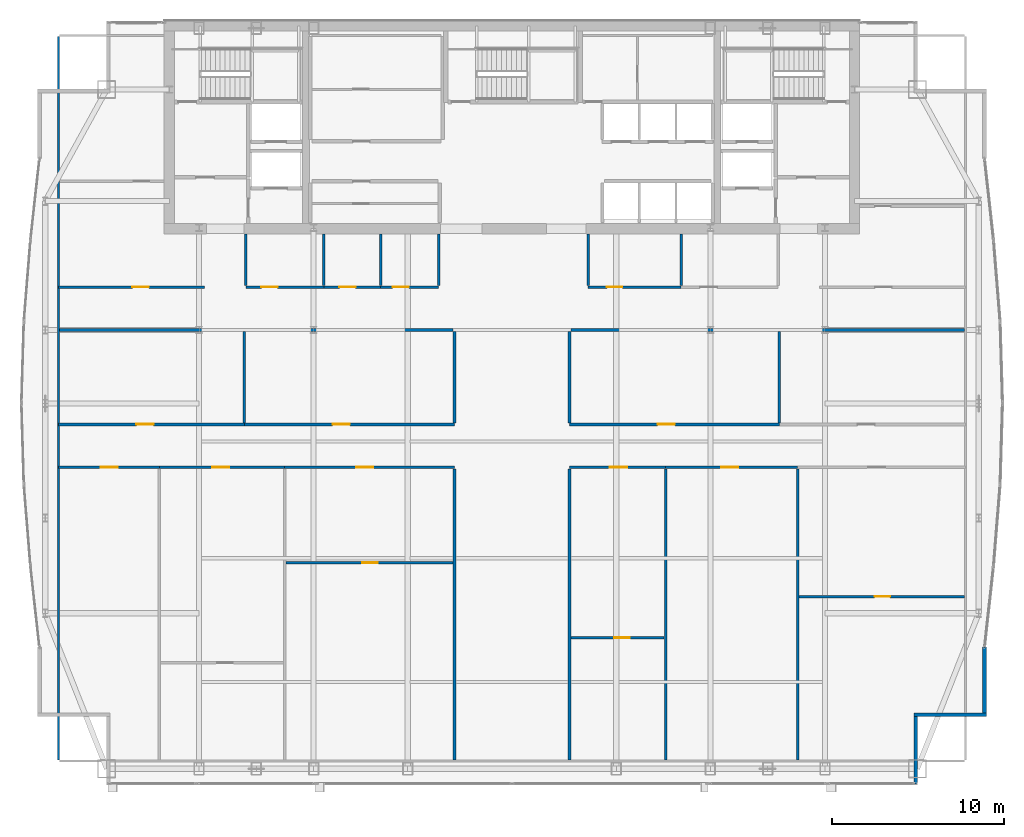
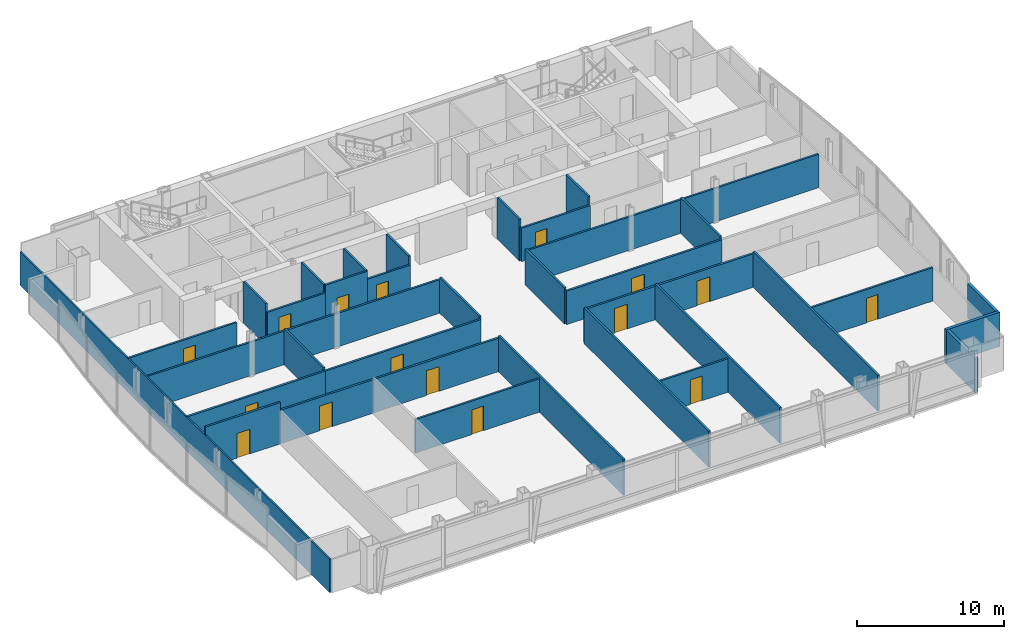
# One storey, part 24 of 29: 36 walls, 16 doors, 16 openings.
"""IFC4 building model written with IfcOpenShell, lengths in metres."""

from ifc_helpers import new_model, si_unit, direction, frame, frame_2d, origin, place, context, subcontext, project, spatial, rectangle, extrude, material, layer, layer_set, type_object, element, fill, save


model = new_model("IFC4")

# Units and contexts
model_context = context("Model", 3, precision=1e-05, world=origin(), true_north=direction((0.0, 1.0)))
body_context = subcontext(model_context, "Body", "Model", "MODEL_VIEW")
ifc_project = project(units=[si_unit("LENGTHUNIT", "METRE"), si_unit("AREAUNIT", "SQUARE_METRE"), si_unit("VOLUMEUNIT", "CUBIC_METRE"), si_unit("PLANEANGLEUNIT", "RADIAN"), si_unit("MASSUNIT", "GRAM", prefix="KILO")], contexts=[model_context])

# Site, building, storey
site_placement = place(None, origin())
site = spatial("IfcSite", under=ifc_project, at=site_placement, CompositionType="ELEMENT")
building_placement = place(site_placement, origin())
building = spatial("IfcBuilding", under=site, at=building_placement, Name="Khoronbel Lancet Exchange", CompositionType="ELEMENT")
storey_placement = place(building_placement, frame((0.0, 0.0, 246.199951171875)))
storey = spatial("IfcBuildingStorey", under=building, at=storey_placement, Name="L63", CompositionType="ELEMENT", Elevation=246.199951171875)

# Walls
ifc_material_1 = material(Name="Precast concrete C40/50", Category="concrete")
ifc_layer_1 = layer(ifc_material_1, 0.25, Name="Precast concrete C40/50")
ifc_layer_set_1 = layer_set([ifc_layer_1], Name="Precast concrete C40/50")
wall_type_1 = type_object("IfcWallType", Name="WL-EXT250", PredefinedType="SOLIDWALL", material=ifc_layer_set_1)
wall_1_placement = place(storey_placement, frame((63.9599609375, 17.22509765625, 0.0), z_axis=(0.0, 0.0, 1.0), x_axis=(0.0, -1.0, 0.0)))
element("IfcWall", 1, at=wall_1_placement, inside=storey, type_object=wall_type_1, Name="Level L63 notched-corner limestone pier 23", PredefinedType="SOLIDWALL", context=body_context, shape_type="SweptSolid", body=[
    extrude(rectangle(XDim=3.8251953125, YDim=0.219970703125, at=frame_2d((1.91259765625, 0.0))), origin(), (0.0, 0.0, 1.0), 2.830078125),
])
wall_2_placement = place(storey_placement, frame((64.070068359375, 13.2900390625, 0.0), z_axis=(0.0, 0.0, 1.0), x_axis=(-1.0, 0.0, 0.0)))
element("IfcWall", 2, at=wall_2_placement, inside=storey, type_object=wall_type_1, Name="Level L63 notched-corner limestone pier 24", PredefinedType="SOLIDWALL", context=body_context, shape_type="SweptSolid", body=[
    extrude(rectangle(XDim=4.219970703125, YDim=0.219970703125, at=frame_2d((2.10986328125, 0.0))), origin(), (0.0, 0.0, 1.0), 2.830078125),
])
wall_3_placement = place(storey_placement, frame((59.9599609375, 13.179931640625, 0.0), z_axis=(0.0, 0.0, 1.0), x_axis=(0.0, -1.0, 0.0)))
element("IfcWall", 3, at=wall_3_placement, inside=storey, type_object=wall_type_1, Name="Level L63 notched-corner limestone pier 25", PredefinedType="SOLIDWALL", context=body_context, shape_type="SweptSolid", body=[
    extrude(rectangle(XDim=3.909912109375, YDim=0.219970703125, at=frame_2d((1.955078125, 0.0))), origin(), (0.0, 0.0, 1.0), 2.830078125),
])
ifc_material_2 = material(Name="Acoustic Metal-Stud & Mineral-Wool Gypsum Partition 120 mm", Category="gypsum")
ifc_layer_2 = layer(ifc_material_2, 0.1201171875, Name="Acoustic Metal-Stud & Mineral-Wool Gypsum Partition 120 mm")
ifc_layer_set_2 = layer_set([ifc_layer_2], Name="Acoustic Metal-Stud & Mineral-Wool Gypsum Partition 120 mm")
wall_type_2 = type_object("IfcWallType", Name="WL-PRT120", PredefinedType="PARTITIONING", material=ifc_layer_set_2)
for number, where, z_axis, x_axis, name in (
    (4, (20.949951171875, 38.280029296875, 0.0), (0.0, 0.0, 1.0), (0.0, 1.0, 0.0), "Level L63 interior partition PW-WC-0"),
    (5, (25.5, 38.280029296875, 0.0), (0.0, 0.0, 1.0), (0.0, 1.0, 0.0), "Level L63 interior partition PW-WC-1"),
    (6, (28.800048828125, 38.280029296875, 0.0), (0.0, 0.0, 1.0), (0.0, 1.0, 0.0), "Level L63 interior partition PW-WC-2"),
    (7, (32.179931640625, 38.280029296875, 0.0), (0.0, 0.0, 1.0), (0.0, 1.0, 0.0), "Level L63 interior partition PW-WC-3"),
    (8, (40.8798828125, 38.280029296875, 0.0), (0.0, 0.0, 1.0), (0.0, 1.0, 0.0), "Level L63 interior partition PW-NP-0"),
    (9, (46.300048828125, 38.280029296875, 0.0), (0.0, 0.0, 1.0), (0.0, 1.0, 0.0), "Level L63 interior partition PW-NP-M"),
):
    element("IfcWall", number, at=place(storey_placement, frame(where, z_axis=z_axis, x_axis=x_axis)), inside=storey, type_object=wall_type_2, Name=name, PredefinedType="PARTITIONING", context=body_context, shape_type="SweptSolid", body=[
        extrude(rectangle(XDim=3.02001953125, YDim=0.14990234375, at=frame_2d((1.510009765625, 0.0))), origin(), (0.0, 0.0, 1.0), 3.43994140625),
    ])

# Wall, opening, door
wall_4_placement = place(storey_placement, frame((23.296875, 22.141845703125, 0.0), z_axis=(0.0, 0.0, 1.0), x_axis=(1.0, 0.0, 0.0)))
wall_4 = element("IfcWall", 10, at=wall_4_placement, inside=storey, type_object=wall_type_2, Name="Level L63 interior partition PW-Z3SW-H3", PredefinedType="PARTITIONING", context=body_context, shape_type="SweptSolid", body=[
    extrude(rectangle(XDim=9.72314453125, YDim=0.14990234375, at=frame_2d((4.861572265625, 0.0))), origin(), (0.0, 0.0, 1.0), 2.780029296875),
])
opening_1_placement = place(wall_4_placement, frame((4.447509765625, 0.0, 0.0)))
opening_1 = element("IfcOpeningElement", 11, at=opening_1_placement, cuts=wall_4, Name="Opening D5", PredefinedType="OPENING", context=body_context, shape_type="SweptSolid", body=[
    extrude(rectangle(XDim=0.89990234375, YDim=2.050048828125, at=frame_2d((0.449951171875, 1.02490234375))), frame((0.0, 0.0849609375, 0.0), z_axis=(0.0, -1.0, 0.0), x_axis=(1.0, 0.0, 0.0)), (0.0, 0.0, 1.0), 0.169921875),
])
ifc_material_3 = material(Name="Acoustic Timber Pantry & Support Door", Category="wood")
door_type_1 = type_object("IfcDoorType", Name="DR-D5", OperationType="NOTDEFINED", PredefinedType="DOOR", material=ifc_material_3)
door_1_placement = place(opening_1_placement, origin())
door_1 = element("IfcDoor", 12, at=door_1_placement, inside=storey, type_object=door_type_1, Name="Z3SW inner door 3 L63-1", OperationType="SINGLE_SWING_LEFT", OverallHeight=2.050048828125, OverallWidth=0.89990234375, PredefinedType="DOOR", context=body_context, shape_type="SweptSolid", body=[
    extrude(rectangle(XDim=0.89990234375, YDim=2.050048828125, at=frame_2d((0.449951171875, 1.02490234375))), frame((0.0, 0.02490234375, 0.0), z_axis=(0.0, -1.0, 0.0), x_axis=(1.0, 0.0, 0.0)), (0.0, 0.0, 1.0), 0.050048828125),
])
fill(opening_1, door_1)

wall_5_placement = place(storey_placement, frame((39.8798828125, 17.781982421875, 0.0), z_axis=(0.0, 0.0, 1.0), x_axis=(1.0, 0.0, 0.0)))
wall_5 = element("IfcWall", 13, at=wall_5_placement, inside=storey, type_object=wall_type_2, Name="Level L63 interior partition PW-Z3SE-H1", PredefinedType="PARTITIONING", context=body_context, shape_type="SweptSolid", body=[
    extrude(rectangle(XDim=5.432861328125, YDim=0.14990234375, at=frame_2d((2.71630859375, 0.0))), origin(), (0.0, 0.0, 1.0), 2.780029296875),
])
opening_2_placement = place(wall_5_placement, frame((2.5166015625, 0.0, 0.0)))
opening_2 = element("IfcOpeningElement", 14, at=opening_2_placement, cuts=wall_5, Name="Opening D5", PredefinedType="OPENING", context=body_context, shape_type="SweptSolid", body=[
    extrude(rectangle(XDim=0.89990234375, YDim=2.050048828125, at=frame_2d((0.449951171875, 1.02490234375))), frame((0.0, 0.0849609375, 0.0), z_axis=(0.0, -1.0, 0.0), x_axis=(1.0, 0.0, 0.0)), (0.0, 0.0, 1.0), 0.169921875),
])
door_2_placement = place(opening_2_placement, origin())
door_2 = element("IfcDoor", 15, at=door_2_placement, inside=storey, type_object=door_type_1, Name="Z3SE inner door 1 L63-1", OperationType="SINGLE_SWING_LEFT", OverallHeight=2.050048828125, OverallWidth=0.89990234375, PredefinedType="DOOR", context=body_context, shape_type="SweptSolid", body=[
    extrude(rectangle(XDim=0.89990234375, YDim=2.050048828125, at=frame_2d((0.449951171875, 1.02490234375))), frame((0.0, 0.02490234375, 0.0), z_axis=(0.0, -1.0, 0.0), x_axis=(1.0, 0.0, 0.0)), (0.0, 0.0, 1.0), 0.050048828125),
])
fill(opening_2, door_2)

wall_6_placement = place(storey_placement, frame((53.16259765625, 20.176025390625, 0.0), z_axis=(0.0, 0.0, 1.0), x_axis=(1.0, 0.0, 0.0)))
wall_6 = element("IfcWall", 16, at=wall_6_placement, inside=storey, type_object=wall_type_2, Name="Level L63 interior partition PW-Z3SE-H3", PredefinedType="PARTITIONING", context=body_context, shape_type="SweptSolid", body=[
    extrude(rectangle(XDim=9.642333984375, YDim=0.14990234375, at=frame_2d((4.8212890625, 0.0))), origin(), (0.0, 0.0, 1.0), 2.780029296875),
])
opening_3_placement = place(wall_6_placement, frame((4.404296875, 0.0, 0.0)))
opening_3 = element("IfcOpeningElement", 17, at=opening_3_placement, cuts=wall_6, Name="Opening D5", PredefinedType="OPENING", context=body_context, shape_type="SweptSolid", body=[
    extrude(rectangle(XDim=0.89990234375, YDim=2.050048828125, at=frame_2d((0.449951171875, 1.02490234375))), frame((0.0, 0.0849609375, 0.0), z_axis=(0.0, -1.0, 0.0), x_axis=(1.0, 0.0, 0.0)), (0.0, 0.0, 1.0), 0.169921875),
])
door_3_placement = place(opening_3_placement, origin())
door_3 = element("IfcDoor", 18, at=door_3_placement, inside=storey, type_object=door_type_1, Name="Z3SE inner door 3 L63-1", OperationType="SINGLE_SWING_RIGHT", OverallHeight=2.050048828125, OverallWidth=0.89990234375, PredefinedType="DOOR", context=body_context, shape_type="SweptSolid", body=[
    extrude(rectangle(XDim=0.89990234375, YDim=2.050048828125, at=frame_2d((0.449951171875, 1.02490234375))), frame((0.0, 0.02490234375, 0.0), z_axis=(0.0, -1.0, 0.0), x_axis=(1.0, 0.0, 0.0)), (0.0, 0.0, 1.0), 0.050048828125),
])
fill(opening_3, door_3)

# Wall
wall_7_placement = place(storey_placement, frame((10.030029296875, 10.6650390625, 0.0), z_axis=(0.0, 0.0, 1.0), x_axis=(0.0, 1.0, 0.0)))
element("IfcWall", 19, at=wall_7_placement, inside=storey, type_object=wall_type_2, Name="Level L63 interior partition PW-LIN-W", PredefinedType="PARTITIONING", context=body_context, shape_type="SweptSolid", body=[
    extrude(rectangle(XDim=42.10986328125, YDim=0.1201171875, at=frame_2d((21.054931640625, 0.0))), origin(), (0.0, 0.0, 1.0), 2.780029296875),
])

# Wall, opening, door
ifc_material_4 = material(Name="Fire-Rated Twin-Stud Acoustic Gypsum Partition 150 mm", Category="gypsum")
ifc_layer_3 = layer(ifc_material_4, 0.14990234375, Name="Fire-Rated Twin-Stud Acoustic Gypsum Partition 150 mm")
ifc_layer_set_3 = layer_set([ifc_layer_3], Name="Fire-Rated Twin-Stud Acoustic Gypsum Partition 150 mm")
wall_type_3 = type_object("IfcWallType", Name="WL-PRT150C", PredefinedType="PARTITIONING", material=ifc_layer_set_3)
wall_8_placement = place(storey_placement, frame((20.949951171875, 38.199951171875, 0.0), z_axis=(0.0, 0.0, 1.0), x_axis=(1.0, 0.0, 0.0)))
wall_8 = element("IfcWall", 20, at=wall_8_placement, inside=storey, type_object=wall_type_3, Name="Level L63 interior partition PW-WC-S1", PredefinedType="PARTITIONING", context=body_context, shape_type="SweptSolid", body=[
    extrude(rectangle(XDim=4.550048828125, YDim=0.14990234375, at=frame_2d((2.27490234375, 0.0))), origin(), (0.0, 0.0, 1.0), 2.780029296875),
])
opening_4_placement = place(wall_8_placement, frame((0.89990234375, 0.0, 0.0)))
opening_4 = element("IfcOpeningElement", 21, at=opening_4_placement, cuts=wall_8, Name="Opening D4", PredefinedType="OPENING", context=body_context, shape_type="SweptSolid", body=[
    extrude(rectangle(XDim=0.949951171875, YDim=2.050048828125, at=frame_2d((0.47509765625, 1.02490234375))), frame((0.0, 0.0849609375, 0.0), z_axis=(0.0, -1.0, 0.0), x_axis=(1.0, 0.0, 0.0)), (0.0, 0.0, 1.0), 0.169921875),
])
ifc_material_5 = material(Name="Moisture-Resistant HPL Washroom Door", Category="wood")
door_type_2 = type_object("IfcDoorType", Name="DR-D4", OperationType="NOTDEFINED", PredefinedType="DOOR", material=ifc_material_5)
door_4_placement = place(opening_4_placement, origin())
door_4 = element("IfcDoor", 22, at=door_4_placement, inside=storey, type_object=door_type_2, Name="Male washroom door L63-1", OperationType="SINGLE_SWING_RIGHT", OverallHeight=2.050048828125, OverallWidth=0.949951171875, PredefinedType="DOOR", context=body_context, shape_type="SweptSolid", body=[
    extrude(rectangle(XDim=0.949951171875, YDim=2.050048828125, at=frame_2d((0.47509765625, 1.02490234375))), frame((0.0, 0.02490234375, 0.0), z_axis=(0.0, -1.0, 0.0), x_axis=(1.0, 0.0, 0.0)), (0.0, 0.0, 1.0), 0.050048828125),
])
fill(opening_4, door_4)

wall_9_placement = place(storey_placement, frame((25.5, 38.199951171875, 0.0), z_axis=(0.0, 0.0, 1.0), x_axis=(1.0, 0.0, 0.0)))
wall_9 = element("IfcWall", 23, at=wall_9_placement, inside=storey, type_object=wall_type_3, Name="Level L63 interior partition PW-WC-S2", PredefinedType="PARTITIONING", context=body_context, shape_type="SweptSolid", body=[
    extrude(rectangle(XDim=3.300048828125, YDim=0.14990234375, at=frame_2d((1.64990234375, 0.0))), origin(), (0.0, 0.0, 1.0), 3.43994140625),
])
opening_5_placement = place(wall_9_placement, frame((0.89990234375, 0.0, 0.0)))
opening_5 = element("IfcOpeningElement", 24, at=opening_5_placement, cuts=wall_9, Name="Opening D4", PredefinedType="OPENING", context=body_context, shape_type="SweptSolid", body=[
    extrude(rectangle(XDim=0.949951171875, YDim=2.050048828125, at=frame_2d((0.47509765625, 1.02490234375))), frame((0.0, 0.0849609375, 0.0), z_axis=(0.0, -1.0, 0.0), x_axis=(1.0, 0.0, 0.0)), (0.0, 0.0, 1.0), 0.169921875),
])
door_5_placement = place(opening_5_placement, origin())
door_5 = element("IfcDoor", 25, at=door_5_placement, inside=storey, type_object=door_type_2, Name="Female washroom door L63-1", OperationType="SINGLE_SWING_LEFT", OverallHeight=2.050048828125, OverallWidth=0.949951171875, PredefinedType="DOOR", context=body_context, shape_type="SweptSolid", body=[
    extrude(rectangle(XDim=0.949951171875, YDim=2.050048828125, at=frame_2d((0.47509765625, 1.02490234375))), frame((0.0, 0.02490234375, 0.0), z_axis=(0.0, -1.0, 0.0), x_axis=(1.0, 0.0, 0.0)), (0.0, 0.0, 1.0), 0.050048828125),
])
fill(opening_5, door_5)

wall_10_placement = place(storey_placement, frame((28.800048828125, 38.199951171875, 0.0), z_axis=(0.0, 0.0, 1.0), x_axis=(1.0, 0.0, 0.0)))
wall_10 = element("IfcWall", 26, at=wall_10_placement, inside=storey, type_object=wall_type_3, Name="Level L63 interior partition PW-WC-S3", PredefinedType="PARTITIONING", context=body_context, shape_type="SweptSolid", body=[
    extrude(rectangle(XDim=3.3798828125, YDim=0.14990234375, at=frame_2d((1.68994140625, 0.0))), origin(), (0.0, 0.0, 1.0), 2.780029296875),
])
opening_6_placement = place(wall_10_placement, frame((0.699951171875, 0.0, 0.0)))
opening_6 = element("IfcOpeningElement", 27, at=opening_6_placement, cuts=wall_10, Name="Opening D4", PredefinedType="OPENING", context=body_context, shape_type="SweptSolid", body=[
    extrude(rectangle(XDim=0.949951171875, YDim=2.050048828125, at=frame_2d((0.47509765625, 1.02490234375))), frame((0.0, 0.0849609375, 0.0), z_axis=(0.0, -1.0, 0.0), x_axis=(1.0, 0.0, 0.0)), (0.0, 0.0, 1.0), 0.169921875),
])
door_6_placement = place(opening_6_placement, origin())
door_6 = element("IfcDoor", 28, at=door_6_placement, inside=storey, type_object=door_type_2, Name="Accessible WC door L63-1", OperationType="SINGLE_SWING_RIGHT", OverallHeight=2.050048828125, OverallWidth=0.949951171875, PredefinedType="DOOR", context=body_context, shape_type="SweptSolid", body=[
    extrude(rectangle(XDim=0.949951171875, YDim=2.050048828125, at=frame_2d((0.47509765625, 1.02490234375))), frame((0.0, 0.02490234375, 0.0), z_axis=(0.0, -1.0, 0.0), x_axis=(1.0, 0.0, 0.0)), (0.0, 0.0, 1.0), 0.050048828125),
])
fill(opening_6, door_6)

wall_11_placement = place(storey_placement, frame((40.8798828125, 38.199951171875, 0.0), z_axis=(0.0, 0.0, 1.0), x_axis=(1.0, 0.0, 0.0)))
wall_11 = element("IfcWall", 29, at=wall_11_placement, inside=storey, type_object=wall_type_3, Name="Level L63 interior partition PW-NP-S1", PredefinedType="PARTITIONING", context=body_context, shape_type="SweptSolid", body=[
    extrude(rectangle(XDim=5.420166015625, YDim=0.14990234375, at=frame_2d((2.7099609375, 0.0))), origin(), (0.0, 0.0, 1.0), 2.780029296875),
])
opening_7_placement = place(wall_11_placement, frame((1.10009765625, 0.0, 0.0)))
opening_7 = element("IfcOpeningElement", 30, at=opening_7_placement, cuts=wall_11, Name="Opening D5", PredefinedType="OPENING", context=body_context, shape_type="SweptSolid", body=[
    extrude(rectangle(XDim=0.89990234375, YDim=2.050048828125, at=frame_2d((0.449951171875, 1.02490234375))), frame((0.0, 0.0849609375, 0.0), z_axis=(0.0, -1.0, 0.0), x_axis=(1.0, 0.0, 0.0)), (0.0, 0.0, 1.0), 0.169921875),
])
door_7_placement = place(opening_7_placement, origin())
door_7 = element("IfcDoor", 31, at=door_7_placement, inside=storey, type_object=door_type_1, Name="Floor refreshment pantry door L63-1", OperationType="SINGLE_SWING_LEFT", OverallHeight=2.050048828125, OverallWidth=0.89990234375, PredefinedType="DOOR", context=body_context, shape_type="SweptSolid", body=[
    extrude(rectangle(XDim=0.89990234375, YDim=2.050048828125, at=frame_2d((0.449951171875, 1.02490234375))), frame((0.0, 0.02490234375, 0.0), z_axis=(0.0, -1.0, 0.0), x_axis=(1.0, 0.0, 0.0)), (0.0, 0.0, 1.0), 0.050048828125),
])
fill(opening_7, door_7)

wall_12_placement = place(storey_placement, frame((10.030029296875, 38.199951171875, 0.0), z_axis=(0.0, 0.0, 1.0), x_axis=(1.0, 0.0, 0.0)))
wall_12 = element("IfcWall", 32, at=wall_12_placement, inside=storey, type_object=wall_type_3, Name="Level L63 interior partition PW-NW-S", PredefinedType="PARTITIONING", context=body_context, shape_type="SweptSolid", body=[
    extrude(rectangle(XDim=8.52001953125, YDim=0.14990234375, at=frame_2d((4.260009765625, 0.0))), origin(), (0.0, 0.0, 1.0), 2.780029296875),
])
opening_8_placement = place(wall_12_placement, frame((4.320068359375, 0.0, 0.0)))
opening_8 = element("IfcOpeningElement", 33, at=opening_8_placement, cuts=wall_12, Name="Opening D1", PredefinedType="OPENING", context=body_context, shape_type="SweptSolid", body=[
    extrude(rectangle(XDim=0.949951171875, YDim=2.050048828125, at=frame_2d((0.47509765625, 1.02490234375))), frame((0.0, 0.0849609375, 0.0), z_axis=(0.0, -1.0, 0.0), x_axis=(1.0, 0.0, 0.0)), (0.0, 0.0, 1.0), 0.169921875),
])
ifc_material_6 = material(Name="Acoustic Veneered Timber & Bronze Frame Door", Category="wood")
door_type_3 = type_object("IfcDoorType", Name="DR-D1", OperationType="NOTDEFINED", PredefinedType="DOOR", material=ifc_material_6)
door_8_placement = place(opening_8_placement, origin())
door_8 = element("IfcDoor", 34, at=door_8_placement, inside=storey, type_object=door_type_3, Name="NW corner room door L63-1", OperationType="SINGLE_SWING_LEFT", OverallHeight=2.050048828125, OverallWidth=0.949951171875, PredefinedType="DOOR", context=body_context, shape_type="SweptSolid", body=[
    extrude(rectangle(XDim=0.949951171875, YDim=2.050048828125, at=frame_2d((0.47509765625, 1.02490234375))), frame((0.0, 0.02490234375, 0.0), z_axis=(0.0, -1.0, 0.0), x_axis=(1.0, 0.0, 0.0)), (0.0, 0.0, 1.0), 0.050048828125),
])
fill(opening_8, door_8)

# Walls
for number, where, z_axis, x_axis, name in (
    (35, (33.10009765625, 10.6650390625, 0.0), (0.0, 0.0, 1.0), (0.0, 1.0, 0.0), "Level L63 interior partition PW-Z3-CW1"),
    (36, (39.800048828125, 10.6650390625, 0.0), (0.0, 0.0, 1.0), (0.0, 1.0, 0.0), "Level L63 interior partition PW-Z3-CE1"),
):
    element("IfcWall", number, at=place(storey_placement, frame(where, z_axis=z_axis, x_axis=x_axis)), inside=storey, type_object=wall_type_3, Name=name, PredefinedType="PARTITIONING", context=body_context, shape_type="SweptSolid", body=[
        extrude(rectangle(XDim=16.949951171875, YDim=0.14990234375, at=frame_2d((8.47509765625, 0.0))), origin(), (0.0, 0.0, 1.0), 2.97998046875),
    ])
for number, where, z_axis, x_axis, name in (
    (37, (33.10009765625, 30.284912109375, 0.0), (0.0, 0.0, 1.0), (0.0, 1.0, 0.0), "Level L63 interior partition PW-Z3-CW2"),
    (38, (39.800048828125, 30.284912109375, 0.0), (0.0, 0.0, 1.0), (0.0, 1.0, 0.0), "Level L63 interior partition PW-Z3-CE2"),
):
    element("IfcWall", number, at=place(storey_placement, frame(where, z_axis=z_axis, x_axis=x_axis)), inside=storey, type_object=wall_type_3, Name=name, PredefinedType="PARTITIONING", context=body_context, shape_type="SweptSolid", body=[
        extrude(rectangle(XDim=5.335205078125, YDim=0.14990234375, at=frame_2d((2.66748046875, 0.0))), origin(), (0.0, 0.0, 1.0), 2.97998046875),
    ])
for number, where, z_axis, x_axis, name in (
    (39, (10.094970703125, 35.699951171875, 0.0), (0.0, 0.0, 1.0), (1.0, 0.0, 0.0), "Level L63 interior partition PW-Z3-WN"),
    (40, (39.8798828125, 35.699951171875, 0.0), (0.0, 0.0, 1.0), (1.0, 0.0, 0.0), "Level L63 interior partition PW-Z3-EN"),
):
    element("IfcWall", number, at=place(storey_placement, frame(where, z_axis=z_axis, x_axis=x_axis)), inside=storey, type_object=wall_type_3, Name=name, PredefinedType="PARTITIONING", context=body_context, shape_type="SweptSolid", body=[
        extrude(rectangle(XDim=22.925048828125, YDim=0.14990234375, at=frame_2d((11.46240234375, 0.0))), origin(), (0.0, 0.0, 1.0), 2.780029296875),
    ])
for number, where, z_axis, x_axis, name in (
    (41, (45.392578125, 10.6650390625, 0.0), (0.0, 0.0, 1.0), (0.0, 1.0, 0.0), "Level L63 interior partition PW-Z3SE-V1"),
    (42, (53.082763671875, 10.6650390625, 0.0), (0.0, 0.0, 1.0), (0.0, 1.0, 0.0), "Level L63 interior partition PW-Z3SE-V2"),
):
    element("IfcWall", number, at=place(storey_placement, frame(where, z_axis=z_axis, x_axis=x_axis)), inside=storey, type_object=wall_type_3, Name=name, PredefinedType="PARTITIONING", context=body_context, shape_type="SweptSolid", body=[
        extrude(rectangle(XDim=16.949951171875, YDim=0.14990234375, at=frame_2d((8.47509765625, 0.0))), origin(), (0.0, 0.0, 1.0), 2.97998046875),
    ])
for number, where, z_axis, x_axis, name in (
    (43, (20.87060546875, 30.284912109375, 0.0), (0.0, 0.0, 1.0), (0.0, 1.0, 0.0), "Level L63 interior partition PW-Z3NW-V1"),
    (44, (52.013427734375, 30.284912109375, 0.0), (0.0, 0.0, 1.0), (0.0, 1.0, 0.0), "Level L63 interior partition PW-Z3NE-V1"),
):
    element("IfcWall", number, at=place(storey_placement, frame(where, z_axis=z_axis, x_axis=x_axis)), inside=storey, type_object=wall_type_3, Name=name, PredefinedType="PARTITIONING", context=body_context, shape_type="SweptSolid", body=[
        extrude(rectangle(XDim=5.335205078125, YDim=0.14990234375, at=frame_2d((2.66748046875, 0.0))), origin(), (0.0, 0.0, 1.0), 2.97998046875),
    ])

# Wall, opening, door
ifc_material_7 = material(Name="Fire-Rated Twin-Stud Acoustic Gypsum Partition 160 mm", Category="gypsum")
ifc_layer_4 = layer(ifc_material_7, 0.159912109375, Name="Fire-Rated Twin-Stud Acoustic Gypsum Partition 160 mm")
ifc_layer_set_4 = layer_set([ifc_layer_4], Name="Fire-Rated Twin-Stud Acoustic Gypsum Partition 160 mm")
wall_type_4 = type_object("IfcWallType", Name="WL-PRT160C", PredefinedType="PARTITIONING", material=ifc_layer_set_4)
wall_13_placement = place(storey_placement, frame((10.030029296875, 27.699951171875, 0.0), z_axis=(0.0, 0.0, 1.0), x_axis=(1.0, 0.0, 0.0)))
wall_13 = element("IfcWall", 45, at=wall_13_placement, inside=storey, type_object=wall_type_4, Name="Level L63 interior partition PW-Z3SW-COR1", PredefinedType="PARTITIONING", context=body_context, shape_type="SweptSolid", body=[
    extrude(rectangle(XDim=5.885986328125, YDim=0.159912109375, at=frame_2d((2.94287109375, 0.0))), origin(), (0.0, 0.0, 1.0), 3.43994140625),
])
opening_9_placement = place(wall_13_placement, frame((2.47216796875, 0.0, 0.0)))
opening_9 = element("IfcOpeningElement", 46, at=opening_9_placement, cuts=wall_13, Name="Opening D2", PredefinedType="OPENING", context=body_context, shape_type="SweptSolid", body=[
    extrude(rectangle(XDim=1.0, YDim=2.050048828125, at=frame_2d((0.5, 1.02490234375))), frame((0.0, 0.08984375, 0.0), z_axis=(0.0, -1.0, 0.0), x_axis=(1.0, 0.0, 0.0)), (0.0, 0.0, 1.0), 0.179931640625),
])
door_type_4 = type_object("IfcDoorType", Name="DR-D2", OperationType="NOTDEFINED", PredefinedType="DOOR", material=ifc_material_6)
door_9_placement = place(opening_9_placement, origin())
door_9 = element("IfcDoor", 47, at=door_9_placement, inside=storey, type_object=door_type_4, Name="Z3SW bay 1 door L63-1", OperationType="SINGLE_SWING_LEFT", OverallHeight=2.050048828125, OverallWidth=1.0, PredefinedType="DOOR", context=body_context, shape_type="SweptSolid", body=[
    extrude(rectangle(XDim=1.0, YDim=2.050048828125, at=frame_2d((0.5, 1.02490234375))), frame((0.0, 0.02490234375, 0.0), z_axis=(0.0, -1.0, 0.0), x_axis=(1.0, 0.0, 0.0)), (0.0, 0.0, 1.0), 0.050048828125),
])
fill(opening_9, door_9)

wall_14_placement = place(storey_placement, frame((15.916015625, 27.699951171875, 0.0), z_axis=(0.0, 0.0, 1.0), x_axis=(1.0, 0.0, 0.0)))
wall_14 = element("IfcWall", 48, at=wall_14_placement, inside=storey, type_object=wall_type_4, Name="Level L63 interior partition PW-Z3SW-COR2", PredefinedType="PARTITIONING", context=body_context, shape_type="SweptSolid", body=[
    extrude(rectangle(XDim=7.30078125, YDim=0.159912109375, at=frame_2d((3.650390625, 0.0))), origin(), (0.0, 0.0, 1.0), 2.780029296875),
])
opening_10_placement = place(wall_14_placement, frame((3.06640625, 0.0, 0.0)))
opening_10 = element("IfcOpeningElement", 49, at=opening_10_placement, cuts=wall_14, Name="Opening D2", PredefinedType="OPENING", context=body_context, shape_type="SweptSolid", body=[
    extrude(rectangle(XDim=1.0, YDim=2.050048828125, at=frame_2d((0.5, 1.02490234375))), frame((0.0, 0.08984375, 0.0), z_axis=(0.0, -1.0, 0.0), x_axis=(1.0, 0.0, 0.0)), (0.0, 0.0, 1.0), 0.179931640625),
])
door_10_placement = place(opening_10_placement, origin())
door_10 = element("IfcDoor", 50, at=door_10_placement, inside=storey, type_object=door_type_4, Name="Z3SW bay 2 door L63-1", OperationType="SINGLE_SWING_RIGHT", OverallHeight=2.050048828125, OverallWidth=1.0, PredefinedType="DOOR", context=body_context, shape_type="SweptSolid", body=[
    extrude(rectangle(XDim=1.0, YDim=2.050048828125, at=frame_2d((0.5, 1.02490234375))), frame((0.0, 0.02490234375, 0.0), z_axis=(0.0, -1.0, 0.0), x_axis=(1.0, 0.0, 0.0)), (0.0, 0.0, 1.0), 0.050048828125),
])
fill(opening_10, door_10)

wall_15_placement = place(storey_placement, frame((23.216796875, 27.699951171875, 0.0), z_axis=(0.0, 0.0, 1.0), x_axis=(1.0, 0.0, 0.0)))
wall_15 = element("IfcWall", 51, at=wall_15_placement, inside=storey, type_object=wall_type_4, Name="Level L63 interior partition PW-Z3SW-COR3", PredefinedType="PARTITIONING", context=body_context, shape_type="SweptSolid", body=[
    extrude(rectangle(XDim=9.88330078125, YDim=0.159912109375, at=frame_2d((4.941650390625, 0.0))), origin(), (0.0, 0.0, 1.0), 2.780029296875),
])
opening_11_placement = place(wall_15_placement, frame((4.15087890625, 0.0, 0.0)))
opening_11 = element("IfcOpeningElement", 52, at=opening_11_placement, cuts=wall_15, Name="Opening D2", PredefinedType="OPENING", context=body_context, shape_type="SweptSolid", body=[
    extrude(rectangle(XDim=1.0, YDim=2.050048828125, at=frame_2d((0.5, 1.02490234375))), frame((0.0, 0.08984375, 0.0), z_axis=(0.0, -1.0, 0.0), x_axis=(1.0, 0.0, 0.0)), (0.0, 0.0, 1.0), 0.179931640625),
])
door_11_placement = place(opening_11_placement, origin())
door_11 = element("IfcDoor", 53, at=door_11_placement, inside=storey, type_object=door_type_4, Name="Z3SW bay 3 door L63-1", OperationType="SINGLE_SWING_RIGHT", OverallHeight=2.050048828125, OverallWidth=1.0, PredefinedType="DOOR", context=body_context, shape_type="SweptSolid", body=[
    extrude(rectangle(XDim=1.0, YDim=2.050048828125, at=frame_2d((0.5, 1.02490234375))), frame((0.0, 0.02490234375, 0.0), z_axis=(0.0, -1.0, 0.0), x_axis=(1.0, 0.0, 0.0)), (0.0, 0.0, 1.0), 0.050048828125),
])
fill(opening_11, door_11)

wall_16_placement = place(storey_placement, frame((39.800048828125, 27.699951171875, 0.0), z_axis=(0.0, 0.0, 1.0), x_axis=(1.0, 0.0, 0.0)))
wall_16 = element("IfcWall", 54, at=wall_16_placement, inside=storey, type_object=wall_type_4, Name="Level L63 interior partition PW-Z3SE-COR1", PredefinedType="PARTITIONING", context=body_context, shape_type="SweptSolid", body=[
    extrude(rectangle(XDim=5.592529296875, YDim=0.159912109375, at=frame_2d((2.79638671875, 0.0))), origin(), (0.0, 0.0, 1.0), 2.780029296875),
])
opening_12_placement = place(wall_16_placement, frame((2.348876953125, 0.0, 0.0)))
opening_12 = element("IfcOpeningElement", 55, at=opening_12_placement, cuts=wall_16, Name="Opening D2", PredefinedType="OPENING", context=body_context, shape_type="SweptSolid", body=[
    extrude(rectangle(XDim=1.0, YDim=2.050048828125, at=frame_2d((0.5, 1.02490234375))), frame((0.0, 0.08984375, 0.0), z_axis=(0.0, -1.0, 0.0), x_axis=(1.0, 0.0, 0.0)), (0.0, 0.0, 1.0), 0.179931640625),
])
door_12_placement = place(opening_12_placement, origin())
door_12 = element("IfcDoor", 56, at=door_12_placement, inside=storey, type_object=door_type_4, Name="Z3SE bay 1 door L63-1", OperationType="SINGLE_SWING_RIGHT", OverallHeight=2.050048828125, OverallWidth=1.0, PredefinedType="DOOR", context=body_context, shape_type="SweptSolid", body=[
    extrude(rectangle(XDim=1.0, YDim=2.050048828125, at=frame_2d((0.5, 1.02490234375))), frame((0.0, 0.02490234375, 0.0), z_axis=(0.0, -1.0, 0.0), x_axis=(1.0, 0.0, 0.0)), (0.0, 0.0, 1.0), 0.050048828125),
])
fill(opening_12, door_12)

wall_17_placement = place(storey_placement, frame((45.392578125, 27.699951171875, 0.0), z_axis=(0.0, 0.0, 1.0), x_axis=(1.0, 0.0, 0.0)))
wall_17 = element("IfcWall", 57, at=wall_17_placement, inside=storey, type_object=wall_type_4, Name="Level L63 interior partition PW-Z3SE-COR2", PredefinedType="PARTITIONING", context=body_context, shape_type="SweptSolid", body=[
    extrude(rectangle(XDim=7.690185546875, YDim=0.159912109375, at=frame_2d((3.84521484375, 0.0))), origin(), (0.0, 0.0, 1.0), 2.780029296875),
])
opening_13_placement = place(wall_17_placement, frame((3.229736328125, 0.0, 0.0)))
opening_13 = element("IfcOpeningElement", 58, at=opening_13_placement, cuts=wall_17, Name="Opening D2", PredefinedType="OPENING", context=body_context, shape_type="SweptSolid", body=[
    extrude(rectangle(XDim=1.0, YDim=2.050048828125, at=frame_2d((0.5, 1.02490234375))), frame((0.0, 0.08984375, 0.0), z_axis=(0.0, -1.0, 0.0), x_axis=(1.0, 0.0, 0.0)), (0.0, 0.0, 1.0), 0.179931640625),
])
door_13_placement = place(opening_13_placement, origin())
door_13 = element("IfcDoor", 59, at=door_13_placement, inside=storey, type_object=door_type_4, Name="Z3SE bay 2 door L63-1", OperationType="SINGLE_SWING_RIGHT", OverallHeight=2.050048828125, OverallWidth=1.0, PredefinedType="DOOR", context=body_context, shape_type="SweptSolid", body=[
    extrude(rectangle(XDim=1.0, YDim=2.050048828125, at=frame_2d((0.5, 1.02490234375))), frame((0.0, 0.02490234375, 0.0), z_axis=(0.0, -1.0, 0.0), x_axis=(1.0, 0.0, 0.0)), (0.0, 0.0, 1.0), 0.050048828125),
])
fill(opening_13, door_13)

wall_18_placement = place(storey_placement, frame((10.030029296875, 30.199951171875, 0.0), z_axis=(0.0, 0.0, 1.0), x_axis=(1.0, 0.0, 0.0)))
wall_18 = element("IfcWall", 60, at=wall_18_placement, inside=storey, type_object=wall_type_4, Name="Level L63 interior partition PW-Z3NW-COR1", PredefinedType="PARTITIONING", context=body_context, shape_type="SweptSolid", body=[
    extrude(rectangle(XDim=10.840576171875, YDim=0.159912109375, at=frame_2d((5.42041015625, 0.0))), origin(), (0.0, 0.0, 1.0), 2.780029296875),
])
opening_14_placement = place(wall_18_placement, frame((4.552978515625, 0.0, 0.0)))
opening_14 = element("IfcOpeningElement", 61, at=opening_14_placement, cuts=wall_18, Name="Opening D2", PredefinedType="OPENING", context=body_context, shape_type="SweptSolid", body=[
    extrude(rectangle(XDim=1.0, YDim=2.050048828125, at=frame_2d((0.5, 1.02490234375))), frame((0.0, 0.08984375, 0.0), z_axis=(0.0, -1.0, 0.0), x_axis=(1.0, 0.0, 0.0)), (0.0, 0.0, 1.0), 0.179931640625),
])
door_14_placement = place(opening_14_placement, origin())
door_14 = element("IfcDoor", 62, at=door_14_placement, inside=storey, type_object=door_type_4, Name="Z3NW bay 1 door L63-1", OperationType="SINGLE_SWING_LEFT", OverallHeight=2.050048828125, OverallWidth=1.0, PredefinedType="DOOR", context=body_context, shape_type="SweptSolid", body=[
    extrude(rectangle(XDim=1.0, YDim=2.050048828125, at=frame_2d((0.5, 1.02490234375))), frame((0.0, 0.02490234375, 0.0), z_axis=(0.0, -1.0, 0.0), x_axis=(1.0, 0.0, 0.0)), (0.0, 0.0, 1.0), 0.050048828125),
])
fill(opening_14, door_14)

wall_19_placement = place(storey_placement, frame((20.87060546875, 30.199951171875, 0.0), z_axis=(0.0, 0.0, 1.0), x_axis=(1.0, 0.0, 0.0)))
wall_19 = element("IfcWall", 63, at=wall_19_placement, inside=storey, type_object=wall_type_4, Name="Level L63 interior partition PW-Z3NW-COR2", PredefinedType="PARTITIONING", context=body_context, shape_type="SweptSolid", body=[
    extrude(rectangle(XDim=12.2294921875, YDim=0.159912109375, at=frame_2d((6.11474609375, 0.0))), origin(), (0.0, 0.0, 1.0), 2.780029296875),
])
opening_15_placement = place(wall_19_placement, frame((5.13623046875, 0.0, 0.0)))
opening_15 = element("IfcOpeningElement", 64, at=opening_15_placement, cuts=wall_19, Name="Opening D2", PredefinedType="OPENING", context=body_context, shape_type="SweptSolid", body=[
    extrude(rectangle(XDim=1.0, YDim=2.050048828125, at=frame_2d((0.5, 1.02490234375))), frame((0.0, 0.08984375, 0.0), z_axis=(0.0, -1.0, 0.0), x_axis=(1.0, 0.0, 0.0)), (0.0, 0.0, 1.0), 0.179931640625),
])
door_15_placement = place(opening_15_placement, origin())
door_15 = element("IfcDoor", 65, at=door_15_placement, inside=storey, type_object=door_type_4, Name="Z3NW bay 2 door L63-1", OperationType="SINGLE_SWING_RIGHT", OverallHeight=2.050048828125, OverallWidth=1.0, PredefinedType="DOOR", context=body_context, shape_type="SweptSolid", body=[
    extrude(rectangle(XDim=1.0, YDim=2.050048828125, at=frame_2d((0.5, 1.02490234375))), frame((0.0, 0.02490234375, 0.0), z_axis=(0.0, -1.0, 0.0), x_axis=(1.0, 0.0, 0.0)), (0.0, 0.0, 1.0), 0.050048828125),
])
fill(opening_15, door_15)

wall_20_placement = place(storey_placement, frame((39.800048828125, 30.199951171875, 0.0), z_axis=(0.0, 0.0, 1.0), x_axis=(1.0, 0.0, 0.0)))
wall_20 = element("IfcWall", 66, at=wall_20_placement, inside=storey, type_object=wall_type_4, Name="Level L63 interior partition PW-Z3NE-COR1", PredefinedType="PARTITIONING", context=body_context, shape_type="SweptSolid", body=[
    extrude(rectangle(XDim=12.21337890625, YDim=0.159912109375, at=frame_2d((6.106689453125, 0.0))), origin(), (0.0, 0.0, 1.0), 2.780029296875),
])
opening_16_placement = place(wall_20_placement, frame((5.129638671875, 0.0, 0.0)))
opening_16 = element("IfcOpeningElement", 67, at=opening_16_placement, cuts=wall_20, Name="Opening D2", PredefinedType="OPENING", context=body_context, shape_type="SweptSolid", body=[
    extrude(rectangle(XDim=1.0, YDim=2.050048828125, at=frame_2d((0.5, 1.02490234375))), frame((0.0, 0.08984375, 0.0), z_axis=(0.0, -1.0, 0.0), x_axis=(1.0, 0.0, 0.0)), (0.0, 0.0, 1.0), 0.179931640625),
])
door_16_placement = place(opening_16_placement, origin())
door_16 = element("IfcDoor", 68, at=door_16_placement, inside=storey, type_object=door_type_4, Name="Z3NE bay 1 door L63-1", OperationType="SINGLE_SWING_LEFT", OverallHeight=2.050048828125, OverallWidth=1.0, PredefinedType="DOOR", context=body_context, shape_type="SweptSolid", body=[
    extrude(rectangle(XDim=1.0, YDim=2.050048828125, at=frame_2d((0.5, 1.02490234375))), frame((0.0, 0.02490234375, 0.0), z_axis=(0.0, -1.0, 0.0), x_axis=(1.0, 0.0, 0.0)), (0.0, 0.0, 1.0), 0.050048828125),
])
fill(opening_16, door_16)

save(model, "model.ifc")
